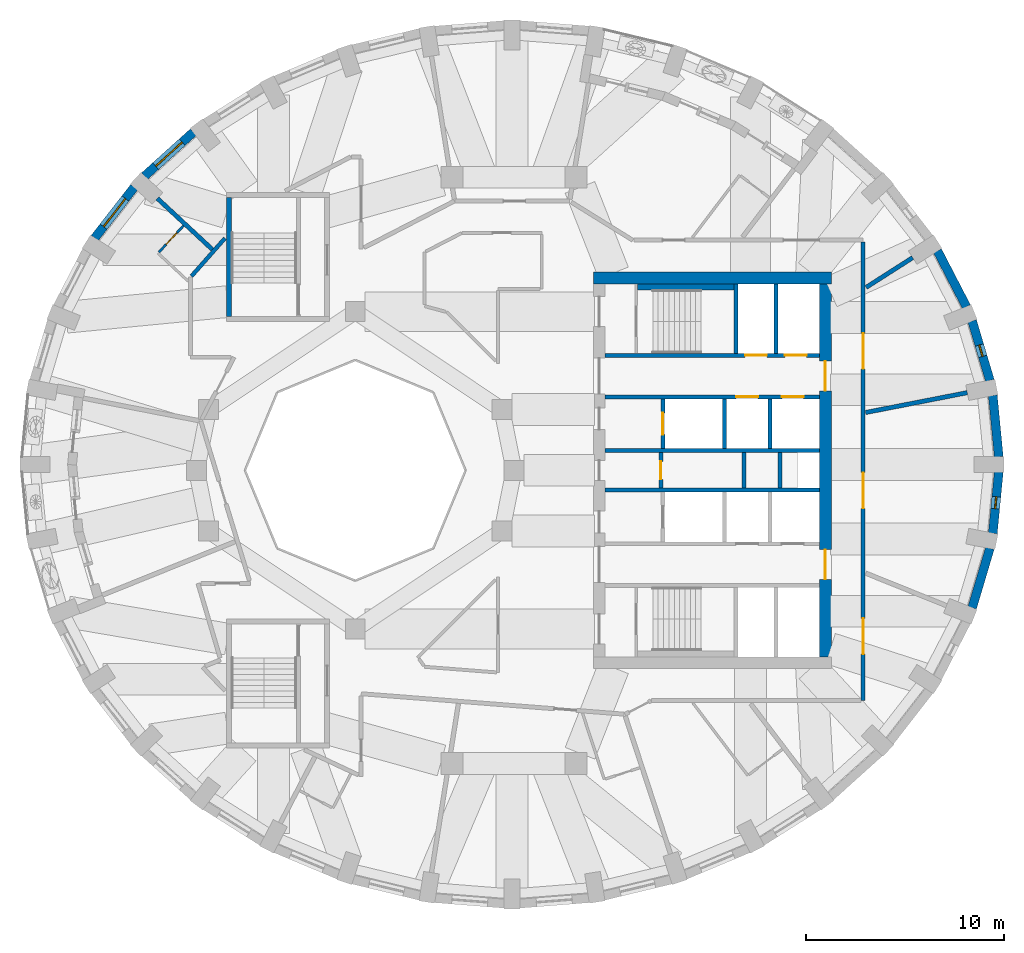
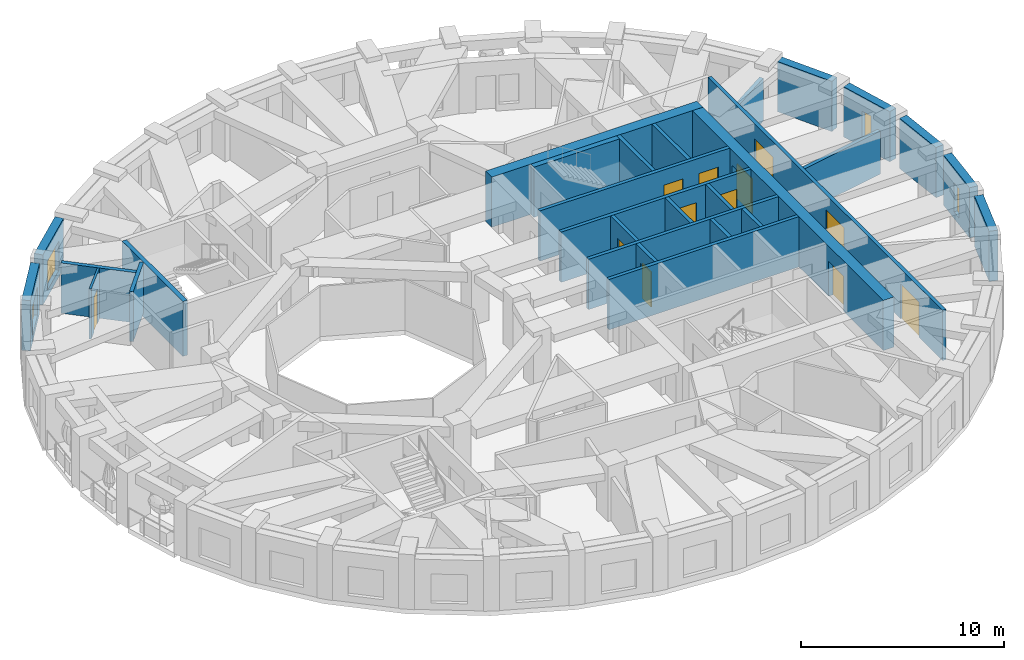
# One storey, part 6 of 12: 29 walls, 12 doors, 4 windows, 16 openings.
"""IFC4 building model written with IfcOpenShell, lengths in metres."""

from ifc_helpers import new_model, si_unit, direction, frame, frame_2d, origin, place, context, subcontext, project, spatial, rectangle, extrude, material, layer, layer_set, type_object, element, fill, save


model = new_model("IFC4")

# Units and contexts
model_context = context("Model", 3, precision=1e-05, world=origin(), true_north=direction((0.0, 1.0)))
body_context = subcontext(model_context, "Body", "Model", "MODEL_VIEW")
ifc_project = project(units=[si_unit("LENGTHUNIT", "METRE"), si_unit("AREAUNIT", "SQUARE_METRE"), si_unit("VOLUMEUNIT", "CUBIC_METRE"), si_unit("PLANEANGLEUNIT", "RADIAN"), si_unit("MASSUNIT", "GRAM", prefix="KILO")], contexts=[model_context])

# Site, building, storey
site_placement = place(None, origin())
site = spatial("IfcSite", under=ifc_project, at=site_placement, CompositionType="ELEMENT")
building_placement = place(site_placement, origin())
building = spatial("IfcBuilding", under=site, at=building_placement, Name="Taillehof Tower", CompositionType="ELEMENT")
storey_placement = place(building_placement, frame((0.0, 0.0, 233.300048828125)))
storey = spatial("IfcBuildingStorey", under=building, at=storey_placement, Name="L66", CompositionType="ELEMENT", Elevation=233.300048828125)

# Wall
ifc_material_1 = material(Name="Brick masonry", Category="masonry")
ifc_layer_1 = layer(ifc_material_1, 0.449951171875)
ifc_layer_set_1 = layer_set([ifc_layer_1], Name="Brick infill wall 450")
wall_type_1 = type_object("IfcWallType", Name="Brick infill wall 450", PredefinedType="SOLIDWALL", material=ifc_layer_set_1)
wall_1_placement = place(storey_placement, frame((24.43701171875, 0.68017578125, 0.0), z_axis=(0.0, 0.0, 1.0), x_axis=(-0.096740086873, 0.995309678237, 0.0)))
element("IfcWall", 1, at=wall_1_placement, inside=storey, type_object=wall_type_1, Name="Brick wall L66 bay 1", PredefinedType="SOLIDWALL", context=body_context, shape_type="SweptSolid", body=[
    extrude(rectangle(XDim=3.1142578125, YDim=0.449951171875, at=frame_2d((1.55712890625, 0.0))), origin(), (0.0, 0.0, 1.0), 3.02001953125),
])

# Wall, opening, window
wall_2_placement = place(storey_placement, frame((23.989990234375, 4.52587890625, 0.0), z_axis=(0.0, 0.0, 1.0), x_axis=(-0.285263800865, 0.958449040855, 0.0)))
wall_2 = element("IfcWall", 2, at=wall_2_placement, inside=storey, type_object=wall_type_1, Name="Brick wall L66 bay 2", PredefinedType="SOLIDWALL", context=body_context, shape_type="SweptSolid", body=[
    extrude(rectangle(XDim=3.13916015625, YDim=0.449951171875, at=frame_2d((1.569580078125, 0.0))), origin(), (0.0, 0.0, 1.0), 3.02001953125),
])
opening_1_placement = place(wall_2_placement, frame((1.26953125, 0.0, 0.39990234375)))
opening_1 = element("IfcOpeningElement", 3, at=opening_1_placement, cuts=wall_2, Name="Opening W6", PredefinedType="OPENING", context=body_context, shape_type="SweptSolid", body=[
    extrude(rectangle(XDim=0.60009765625, YDim=1.75, at=frame_2d((0.300048828125, 0.875))), frame((0.0, 0.23486328125, 0.0), z_axis=(0.0, -1.0, 0.0), x_axis=(1.0, 0.0, 0.0)), (0.0, 0.0, 1.0), 0.469970703125),
])
ifc_material_2 = material(Name="Aluminium window frame with clear double glazing", Category="aluminium")
window_type_1 = type_object("IfcWindowType", Name="Slot window 600x1750", PartitioningType="SINGLE_PANEL", PredefinedType="WINDOW", material=ifc_material_2)
window_1_placement = place(opening_1_placement, origin())
window_1 = element("IfcWindow", 4, at=window_1_placement, inside=storey, type_object=window_type_1, Name="W6", OverallHeight=1.75, OverallWidth=0.60009765625, PartitioningType="SINGLE_PANEL", PredefinedType="WINDOW", context=body_context, shape_type="SweptSolid", body=[
    extrude(rectangle(XDim=0.60009765625, YDim=1.75, at=frame_2d((0.300048828125, 0.875))), frame((0.0, 0.034912109375, 0.0), z_axis=(0.0, -1.0, 0.0), x_axis=(1.0, 0.0, 0.0)), (0.0, 0.0, 1.0), 0.06005859375),
])
fill(opening_1, window_1)

# Wall
wall_3_placement = place(storey_placement, frame((22.81005859375, 8.239501953125, 0.0), z_axis=(0.0, 0.0, 1.0), x_axis=(-0.459889857669, 0.887975967475, 0.0)))
element("IfcWall", 5, at=wall_3_placement, inside=storey, type_object=wall_type_1, Name="Brick wall L66 bay 3", PredefinedType="SOLIDWALL", context=body_context, shape_type="SweptSolid", body=[
    extrude(rectangle(XDim=3.185791015625, YDim=0.449951171875, at=frame_2d((1.5927734375, 0.0))), origin(), (0.0, 0.0, 1.0), 3.02001953125),
])

# Wall, opening, window
wall_4_placement = place(storey_placement, frame((-16.1591796875, 17.04736328125, 0.0), z_axis=(0.0, 0.0, 1.0), x_axis=(-0.743166014219, -0.669107073128, 0.0)))
wall_4 = element("IfcWall", 6, at=wall_4_placement, inside=storey, type_object=wall_type_1, Name="Brick wall L66 bay 14", PredefinedType="SOLIDWALL", context=body_context, shape_type="SweptSolid", body=[
    extrude(rectangle(XDim=3.31640625, YDim=0.449951171875, at=frame_2d((1.658203125, 0.0))), origin(), (0.0, 0.0, 1.0), 3.02001953125),
])
opening_2_placement = place(wall_4_placement, frame((0.75830078125, 0.0, 0.39990234375)))
opening_2 = element("IfcOpeningElement", 7, at=opening_2_placement, cuts=wall_4, Name="Opening W4", PredefinedType="OPENING", context=body_context, shape_type="SweptSolid", body=[
    extrude(rectangle(XDim=1.800048828125, YDim=1.75, at=frame_2d((0.89990234375, 0.875))), frame((0.0, 0.23486328125, 0.0), z_axis=(0.0, -1.0, 0.0), x_axis=(1.0, 0.0, 0.0)), (0.0, 0.0, 1.0), 0.469970703125),
])
ifc_material_3 = material(Name="Aluminium window frame with clear double glazing", Category="aluminium")
window_type_2 = type_object("IfcWindowType", Name="Deep-set window 1800x1750", PartitioningType="SINGLE_PANEL", PredefinedType="WINDOW", material=ifc_material_3)
window_2_placement = place(opening_2_placement, origin())
window_2 = element("IfcWindow", 8, at=window_2_placement, inside=storey, type_object=window_type_2, Name="W4", OverallHeight=1.75, OverallWidth=1.800048828125, PartitioningType="SINGLE_PANEL", PredefinedType="WINDOW", context=body_context, shape_type="SweptSolid", body=[
    extrude(rectangle(XDim=1.800048828125, YDim=1.75, at=frame_2d((0.89990234375, 0.875))), frame((0.0, 0.034912109375, 0.0), z_axis=(0.0, -1.0, 0.0), x_axis=(1.0, 0.0, 0.0)), (0.0, 0.0, 1.0), 0.06005859375),
])
fill(opening_2, window_2)

wall_5_placement = place(storey_placement, frame((-19.1416015625, 14.27197265625, 0.0), z_axis=(0.0, 0.0, 1.0), x_axis=(-0.613862536705, -0.789412937587, 0.0)))
wall_5 = element("IfcWall", 9, at=wall_5_placement, inside=storey, type_object=wall_type_1, Name="Brick wall L66 bay 15", PredefinedType="SOLIDWALL", context=body_context, shape_type="SweptSolid", body=[
    extrude(rectangle(XDim=3.247314453125, YDim=0.449951171875, at=frame_2d((1.62353515625, 0.0))), origin(), (0.0, 0.0, 1.0), 3.02001953125),
])
opening_3_placement = place(wall_5_placement, frame((0.7236328125, 0.0, 0.39990234375)))
opening_3 = element("IfcOpeningElement", 10, at=opening_3_placement, cuts=wall_5, Name="Opening W4", PredefinedType="OPENING", context=body_context, shape_type="SweptSolid", body=[
    extrude(rectangle(XDim=1.800048828125, YDim=1.75, at=frame_2d((0.89990234375, 0.875))), frame((0.0, 0.23486328125, 0.0), z_axis=(0.0, -1.0, 0.0), x_axis=(1.0, 0.0, 0.0)), (0.0, 0.0, 1.0), 0.469970703125),
])
window_3_placement = place(opening_3_placement, origin())
window_3 = element("IfcWindow", 11, at=window_3_placement, inside=storey, type_object=window_type_2, Name="W4", OverallHeight=1.75, OverallWidth=1.800048828125, PartitioningType="SINGLE_PANEL", PredefinedType="WINDOW", context=body_context, shape_type="SweptSolid", body=[
    extrude(rectangle(XDim=1.800048828125, YDim=1.75, at=frame_2d((0.89990234375, 0.875))), frame((0.0, 0.034912109375, 0.0), z_axis=(0.0, -1.0, 0.0), x_axis=(1.0, 0.0, 0.0)), (0.0, 0.0, 1.0), 0.06005859375),
])
fill(opening_3, window_3)

# Wall
wall_6_placement = place(storey_placement, frame((23.094482421875, -6.9345703125, 0.0), z_axis=(0.0, 0.0, 1.0), x_axis=(0.285263800865, 0.958449040855, 0.0)))
element("IfcWall", 12, at=wall_6_placement, inside=storey, type_object=wall_type_1, Name="Brick wall L66 bay 35", PredefinedType="SOLIDWALL", context=body_context, shape_type="SweptSolid", body=[
    extrude(rectangle(XDim=3.13916015625, YDim=0.449951171875, at=frame_2d((1.569580078125, 0.0))), origin(), (0.0, 0.0, 1.0), 3.02001953125),
])

# Wall, opening, window
wall_7_placement = place(storey_placement, frame((24.1357421875, -3.179931640625, 0.0), z_axis=(0.0, 0.0, 1.0), x_axis=(0.09673253904, 0.995310411827, 0.0)))
wall_7 = element("IfcWall", 13, at=wall_7_placement, inside=storey, type_object=wall_type_1, Name="Brick wall L66 bay 36", PredefinedType="SOLIDWALL", context=body_context, shape_type="SweptSolid", body=[
    extrude(rectangle(XDim=3.114501953125, YDim=0.449951171875, at=frame_2d((1.55712890625, 0.0))), origin(), (0.0, 0.0, 1.0), 3.02001953125),
])
opening_4_placement = place(wall_7_placement, frame((1.257080078125, 0.0, 0.39990234375)))
opening_4 = element("IfcOpeningElement", 14, at=opening_4_placement, cuts=wall_7, Name="Opening W6", PredefinedType="OPENING", context=body_context, shape_type="SweptSolid", body=[
    extrude(rectangle(XDim=0.60009765625, YDim=1.75, at=frame_2d((0.300048828125, 0.875))), frame((0.0, 0.23486328125, 0.0), z_axis=(0.0, -1.0, 0.0), x_axis=(1.0, 0.0, 0.0)), (0.0, 0.0, 1.0), 0.469970703125),
])
window_4_placement = place(opening_4_placement, origin())
window_4 = element("IfcWindow", 15, at=window_4_placement, inside=storey, type_object=window_type_1, Name="W6", OverallHeight=1.75, OverallWidth=0.60009765625, PartitioningType="SINGLE_PANEL", PredefinedType="WINDOW", context=body_context, shape_type="SweptSolid", body=[
    extrude(rectangle(XDim=0.60009765625, YDim=1.75, at=frame_2d((0.300048828125, 0.875))), frame((0.0, 0.034912109375, 0.0), z_axis=(0.0, -1.0, 0.0), x_axis=(1.0, 0.0, 0.0)), (0.0, 0.0, 1.0), 0.06005859375),
])
fill(opening_4, window_4)

# Wall, opening, door
ifc_material_4 = material(Name="Calcium silicate masonry", Category="masonry")
ifc_layer_2 = layer(ifc_material_4, 0.199951171875)
ifc_layer_set_2 = layer_set([ifc_layer_2], Name="Compartment wall calcium silicate 200")
wall_type_2 = type_object("IfcWallType", Name="Compartment wall calcium silicate 200", PredefinedType="PARTITIONING", material=ifc_layer_set_2)
wall_8_placement = place(storey_placement, frame((7.39990234375, -0.89990234375, 0.0), z_axis=(0.0, 0.0, 1.0), x_axis=(0.0, 1.0, 0.0)))
wall_8 = element("IfcWall", 16, at=wall_8_placement, inside=storey, type_object=wall_type_2, Name="Compartment wall FW", PredefinedType="PARTITIONING", context=body_context, shape_type="SweptSolid", body=[
    extrude(rectangle(XDim=1.7998046875, YDim=0.199951171875, at=frame_2d((0.89990234375, 0.0))), origin(), (0.0, 0.0, 1.0), 3.02001953125),
])
opening_5_placement = place(wall_8_placement, frame((0.449951171875, 0.0, 0.0)))
opening_5 = element("IfcOpeningElement", 17, at=opening_5_placement, cuts=wall_8, Name="Opening D6614", PredefinedType="OPENING", context=body_context, shape_type="SweptSolid", body=[
    extrude(rectangle(XDim=0.89990234375, YDim=2.10009765625, at=frame_2d((0.449951171875, 1.050048828125))), frame((0.0, 0.10986328125, 0.0), z_axis=(0.0, -1.0, 0.0), x_axis=(1.0, 0.0, 0.0)), (0.0, 0.0, 1.0), 0.219970703125),
])
ifc_material_5 = material(Name="Steel-faced fire door", Category="steel")
door_type_1 = type_object("IfcDoorType", Name="Riser and service room door 900x2100", OperationType="SINGLE_SWING_LEFT", PredefinedType="DOOR", material=ifc_material_5)
door_1_placement = place(opening_5_placement, origin())
door_1 = element("IfcDoor", 18, at=door_1_placement, inside=storey, type_object=door_type_1, Name="Door Fire Safety Store", OperationType="SINGLE_SWING_RIGHT", OverallHeight=2.10009765625, OverallWidth=0.89990234375, PredefinedType="DOOR", context=body_context, shape_type="SweptSolid", body=[
    extrude(rectangle(XDim=0.89990234375, YDim=2.10009765625, at=frame_2d((0.449951171875, 1.050048828125))), frame((0.0, 0.02490234375, 0.0), z_axis=(0.0, -1.0, 0.0), x_axis=(1.0, 0.0, 0.0)), (0.0, 0.0, 1.0), 0.050048828125),
])
fill(opening_5, door_1)

# Walls
for number, where, z_axis, x_axis, name in (
    (19, (11.60009765625, -0.89990234375, 0.0), (0.0, 0.0, 1.0), (0.0, 1.0, 0.0), "Compartment wall FW"),
    (20, (13.39990234375, -0.89990234375, 0.0), (0.0, 0.0, 1.0), (0.0, 1.0, 0.0), "Compartment wall FW"),
):
    element("IfcWall", number, at=place(storey_placement, frame(where, z_axis=z_axis, x_axis=x_axis)), inside=storey, type_object=wall_type_2, Name=name, PredefinedType="PARTITIONING", context=body_context, shape_type="SweptSolid", body=[
        extrude(rectangle(XDim=1.7998046875, YDim=0.199951171875, at=frame_2d((0.89990234375, 0.0))), origin(), (0.0, 0.0, 1.0), 3.02001953125),
    ])

# Wall, openings, doors
ifc_material_6 = material(Name="Gypsum board on steel studs, two layers each side", Category="steel")
ifc_layer_3 = layer(ifc_material_6, 0.199951171875)
ifc_layer_set_3 = layer_set([ifc_layer_3], Name="Compartment wall corridor 200")
wall_type_3 = type_object("IfcWallType", Name="Compartment wall corridor 200", PredefinedType="PARTITIONING", material=ifc_layer_set_3)
wall_9_placement = place(storey_placement, frame((17.60009765625, 11.5, 0.0), z_axis=(0.0, 0.0, 1.0), x_axis=(0.0, -1.0, 0.0)))
wall_9 = element("IfcWall", 21, at=wall_9_placement, inside=storey, type_object=wall_type_3, Name="Compartment wall", PredefinedType="PARTITIONING", context=body_context, shape_type="SweptSolid", body=[
    extrude(rectangle(XDim=23.10009765625, YDim=0.199951171875, at=frame_2d((11.550048828125, 0.0))), origin(), (0.0, 0.0, 1.0), 3.02001953125),
])
opening_6_placement = place(wall_9_placement, frame((18.9599609375, 0.0, 0.0)))
opening_6 = element("IfcOpeningElement", 22, at=opening_6_placement, cuts=wall_9, Name="Opening D6654", PredefinedType="OPENING", context=body_context, shape_type="SweptSolid", body=[
    extrude(rectangle(XDim=1.800048828125, YDim=2.10009765625, at=frame_2d((0.89990234375, 1.050048828125))), frame((0.0, 0.10986328125, 0.0), z_axis=(0.0, -1.0, 0.0), x_axis=(1.0, 0.0, 0.0)), (0.0, 0.0, 1.0), 0.219970703125),
])
opening_7_placement = place(wall_9_placement, frame((11.6171875, 0.0, 0.0)))
opening_7 = element("IfcOpeningElement", 23, at=opening_7_placement, cuts=wall_9, Name="Opening D6655", PredefinedType="OPENING", context=body_context, shape_type="SweptSolid", body=[
    extrude(rectangle(XDim=1.800048828125, YDim=2.10009765625, at=frame_2d((0.89990234375, 1.050048828125))), frame((0.0, 0.10986328125, 0.0), z_axis=(0.0, -1.0, 0.0), x_axis=(1.0, 0.0, 0.0)), (0.0, 0.0, 1.0), 0.219970703125),
])
opening_8_placement = place(wall_9_placement, frame((4.5908203125, 0.0, 0.0)))
opening_8 = element("IfcOpeningElement", 24, at=opening_8_placement, cuts=wall_9, Name="Opening D6656", PredefinedType="OPENING", context=body_context, shape_type="SweptSolid", body=[
    extrude(rectangle(XDim=1.800048828125, YDim=2.10009765625, at=frame_2d((0.89990234375, 1.050048828125))), frame((0.0, 0.10986328125, 0.0), z_axis=(0.0, -1.0, 0.0), x_axis=(1.0, 0.0, 0.0)), (0.0, 0.0, 1.0), 0.219970703125),
])
ifc_material_7 = material(Name="Timber door leaf in steel frame", Category="steel")
door_type_2 = type_object("IfcDoorType", Name="Lounge and meeting room double door EI 30 1800 x 2100", OperationType="SINGLE_SWING_LEFT", PredefinedType="DOOR", material=ifc_material_7)
door_2_placement = place(opening_6_placement, origin())
door_2 = element("IfcDoor", 25, at=door_2_placement, inside=storey, type_object=door_type_2, Name="D6654", OperationType="DOUBLE_DOOR_SINGLE_SWING", OverallHeight=2.10009765625, OverallWidth=1.800048828125, PredefinedType="DOOR", context=body_context, shape_type="SweptSolid", body=[
    extrude(rectangle(XDim=1.800048828125, YDim=2.10009765625, at=frame_2d((0.89990234375, 1.050048828125))), frame((0.0, 0.02490234375, 0.0), z_axis=(0.0, -1.0, 0.0), x_axis=(1.0, 0.0, 0.0)), (0.0, 0.0, 1.0), 0.050048828125),
])
fill(opening_6, door_2)
door_3_placement = place(opening_7_placement, origin())
door_3 = element("IfcDoor", 26, at=door_3_placement, inside=storey, type_object=door_type_2, Name="D6655", OperationType="DOUBLE_DOOR_SINGLE_SWING", OverallHeight=2.10009765625, OverallWidth=1.800048828125, PredefinedType="DOOR", context=body_context, shape_type="SweptSolid", body=[
    extrude(rectangle(XDim=1.800048828125, YDim=2.10009765625, at=frame_2d((0.89990234375, 1.050048828125))), frame((0.0, 0.02490234375, 0.0), z_axis=(0.0, -1.0, 0.0), x_axis=(1.0, 0.0, 0.0)), (0.0, 0.0, 1.0), 0.050048828125),
])
fill(opening_7, door_3)
door_4_placement = place(opening_8_placement, origin())
door_4 = element("IfcDoor", 27, at=door_4_placement, inside=storey, type_object=door_type_2, Name="D6656", OperationType="DOUBLE_DOOR_SINGLE_SWING", OverallHeight=2.10009765625, OverallWidth=1.800048828125, PredefinedType="DOOR", context=body_context, shape_type="SweptSolid", body=[
    extrude(rectangle(XDim=1.800048828125, YDim=2.10009765625, at=frame_2d((0.89990234375, 1.050048828125))), frame((0.0, 0.02490234375, 0.0), z_axis=(0.0, -1.0, 0.0), x_axis=(1.0, 0.0, 0.0)), (0.0, 0.0, 1.0), 0.050048828125),
])
fill(opening_8, door_4)

# Walls
wall_10_placement = place(storey_placement, frame((-16.260498046875, 9.783447265625, 0.0), z_axis=(0.0, 0.0, 1.0), x_axis=(0.66199168739, 0.74951117792, 0.0)))
element("IfcWall", 28, at=wall_10_placement, inside=storey, type_object=wall_type_3, Name="Compartment wall", PredefinedType="PARTITIONING", context=body_context, shape_type="SweptSolid", body=[
    extrude(rectangle(XDim=2.552490234375, YDim=0.199951171875, at=frame_2d((1.2763671875, 0.0))), origin(), (0.0, 0.0, 1.0), 3.02001953125),
])
ifc_material_8 = material(Name="Gypsum board on double steel studs with mineral wool", Category="steel")
ifc_layer_4 = layer(ifc_material_8, 0.219970703125)
ifc_layer_set_4 = layer_set([ifc_layer_4], Name="Compartment wall guest room 220")
wall_type_4 = type_object("IfcWallType", Name="Compartment wall guest room 220", PredefinedType="PARTITIONING", material=ifc_layer_set_4)
wall_11_placement = place(storey_placement, frame((22.8486328125, 3.915771484375, 0.0), z_axis=(0.0, 0.0, 1.0), x_axis=(-0.981474096155, -0.191594881394, 0.0)))
element("IfcWall", 29, at=wall_11_placement, inside=storey, type_object=wall_type_4, Name="Compartment wall", PredefinedType="PARTITIONING", context=body_context, shape_type="SweptSolid", body=[
    extrude(rectangle(XDim=5.225830078125, YDim=0.219970703125, at=frame_2d((2.61279296875, 0.0))), origin(), (0.0, 0.0, 1.0), 2.570068359375),
])
wall_12_placement = place(storey_placement, frame((20.095947265625, 10.720947265625, 0.0), z_axis=(0.0, 0.0, 1.0), x_axis=(-0.842583486412, -0.538565751256, 0.0)))
element("IfcWall", 30, at=wall_12_placement, inside=storey, type_object=wall_type_4, Name="Compartment wall", PredefinedType="PARTITIONING", context=body_context, shape_type="SweptSolid", body=[
    extrude(rectangle(XDim=2.783447265625, YDim=0.219970703125, at=frame_2d((1.3916015625, 0.0))), origin(), (0.0, 0.0, 1.0), 2.570068359375),
])
wall_13_placement = place(storey_placement, frame((-17.973876953125, 13.705810546875, 0.0), z_axis=(0.0, 0.0, 1.0), x_axis=(0.732644022802, -0.680612030346, 0.0)))
element("IfcWall", 31, at=wall_13_placement, inside=storey, type_object=wall_type_4, Name="Compartment wall", PredefinedType="PARTITIONING", context=body_context, shape_type="SweptSolid", body=[
    extrude(rectangle(XDim=3.78173828125, YDim=0.219970703125, at=frame_2d((1.890869140625, 0.0))), origin(), (0.0, 0.0, 1.0), 3.02001953125),
])
ifc_material_9 = material(Name="Calcium silicate masonry", Category="masonry")
ifc_layer_5 = layer(ifc_material_9, 0.300048828125)
ifc_layer_set_5 = layer_set([ifc_layer_5], Name="Compartment wall lining calcium silicate 300")
wall_type_5 = type_object("IfcWallType", Name="Compartment wall lining calcium silicate 300", PredefinedType="PARTITIONING", material=ifc_layer_set_5)
wall_14_placement = place(storey_placement, frame((6.219970703125, 9.25, 0.0), z_axis=(0.0, 0.0, 1.0), x_axis=(1.0, 0.0, 0.0)))
element("IfcWall", 32, at=wall_14_placement, inside=storey, type_object=wall_type_5, Name="Compartment wall FW", PredefinedType="PARTITIONING", context=body_context, shape_type="SweptSolid", body=[
    extrude(rectangle(XDim=4.880126953125, YDim=0.300048828125, at=frame_2d((2.43994140625, 0.0))), origin(), (0.0, 0.0, 1.0), 3.02001953125),
])

# Wall, openings, doors
ifc_material_10 = material(Name="Concrete C80/95", Category="concrete")
ifc_layer_6 = layer(ifc_material_10, 0.60009765625)
ifc_layer_set_6 = layer_set([ifc_layer_6], Name="Core wall C80/95 600")
wall_type_6 = type_object("IfcWallType", Name="Core wall C80/95 600", PredefinedType="SHEAR", material=ifc_layer_set_6)
wall_15_placement = place(storey_placement, frame((15.699951171875, -9.39990234375, 0.0), z_axis=(0.0, 0.0, 1.0), x_axis=(0.0, 1.0, 0.0)))
wall_15 = element("IfcWall", 33, at=wall_15_placement, inside=storey, type_object=wall_type_6, Name="Core wall CW05", PredefinedType="SHEAR", context=body_context, shape_type="SweptSolid", body=[
    extrude(rectangle(XDim=18.7998046875, YDim=0.60009765625, at=frame_2d((9.39990234375, 0.0))), origin(), (0.0, 0.0, 1.0), 3.02001953125),
])
opening_9_placement = place(wall_15_placement, frame((13.39990234375, 0.0, 0.0)))
opening_9 = element("IfcOpeningElement", 34, at=opening_9_placement, cuts=wall_15, Name="Opening D6608", PredefinedType="OPENING", context=body_context, shape_type="SweptSolid", body=[
    extrude(rectangle(XDim=1.5, YDim=2.10009765625, at=frame_2d((0.75, 1.050048828125))), frame((0.0, 0.31005859375, 0.0), z_axis=(0.0, -1.0, 0.0), x_axis=(1.0, 0.0, 0.0)), (0.0, 0.0, 1.0), 0.6201171875),
])
opening_10_placement = place(wall_15_placement, frame((3.89990234375, 0.0, 0.0)))
opening_10 = element("IfcOpeningElement", 35, at=opening_10_placement, cuts=wall_15, Name="Opening D6609", PredefinedType="OPENING", context=body_context, shape_type="SweptSolid", body=[
    extrude(rectangle(XDim=1.5, YDim=2.10009765625, at=frame_2d((0.75, 1.050048828125))), frame((0.0, 0.31005859375, 0.0), z_axis=(0.0, -1.0, 0.0), x_axis=(1.0, 0.0, 0.0)), (0.0, 0.0, 1.0), 0.6201171875),
])
ifc_material_11 = material(Name="Steel-faced fire door", Category="steel")
door_type_3 = type_object("IfcDoorType", Name="Lift lobby east door 1500x2100", OperationType="DOUBLE_DOOR_SINGLE_SWING", PredefinedType="DOOR", material=ifc_material_11)
door_5_placement = place(opening_9_placement, origin())
door_5 = element("IfcDoor", 36, at=door_5_placement, inside=storey, type_object=door_type_3, Name="Lift lobby east door north", OperationType="DOUBLE_DOOR_SINGLE_SWING", OverallHeight=2.10009765625, OverallWidth=1.5, PredefinedType="DOOR", context=body_context, shape_type="SweptSolid", body=[
    extrude(rectangle(XDim=1.5, YDim=2.10009765625, at=frame_2d((0.75, 1.050048828125))), frame((0.0, 0.02490234375, 0.0), z_axis=(0.0, -1.0, 0.0), x_axis=(1.0, 0.0, 0.0)), (0.0, 0.0, 1.0), 0.050048828125),
])
fill(opening_9, door_5)
door_6_placement = place(opening_10_placement, origin())
door_6 = element("IfcDoor", 37, at=door_6_placement, inside=storey, type_object=door_type_3, Name="Lift lobby east door south", OperationType="DOUBLE_DOOR_SINGLE_SWING", OverallHeight=2.10009765625, OverallWidth=1.5, PredefinedType="DOOR", context=body_context, shape_type="SweptSolid", body=[
    extrude(rectangle(XDim=1.5, YDim=2.10009765625, at=frame_2d((0.75, 1.050048828125))), frame((0.0, 0.02490234375, 0.0), z_axis=(0.0, -1.0, 0.0), x_axis=(1.0, 0.0, 0.0)), (0.0, 0.0, 1.0), 0.050048828125),
])
fill(opening_10, door_6)

# Wall
wall_16_placement = place(storey_placement, frame((4.0, 9.699951171875, 0.0), z_axis=(0.0, 0.0, 1.0), x_axis=(1.0, 0.0, 0.0)))
element("IfcWall", 38, at=wall_16_placement, inside=storey, type_object=wall_type_6, Name="Core wall CW06", PredefinedType="SHEAR", context=body_context, shape_type="SweptSolid", body=[
    extrude(rectangle(XDim=12.0, YDim=0.60009765625, at=frame_2d((6.0, 0.0))), origin(), (0.0, 0.0, 1.0), 3.02001953125),
])

# Wall, opening, door
ifc_material_12 = material(Name="Gypsum board on steel studs, moisture resistant", Category="steel")
ifc_layer_7 = layer(ifc_material_12, 0.1201171875)
ifc_layer_set_7 = layer_set([ifc_layer_7], Name="En-suite wall 120")
wall_type_7 = type_object("IfcWallType", Name="En-suite wall 120", PredefinedType="PARTITIONING", material=ifc_layer_set_7)
wall_17_placement = place(storey_placement, frame((-17.90234375, 10.991455078125, 0.0), z_axis=(0.0, 0.0, 1.0), x_axis=(0.680681343043, 0.732579626548, 0.0)))
wall_17 = element("IfcWall", 39, at=wall_17_placement, inside=storey, type_object=wall_type_7, Name="En-suite wall", PredefinedType="PARTITIONING", context=body_context, shape_type="SweptSolid", body=[
    extrude(rectangle(XDim=1.829833984375, YDim=0.1201171875, at=frame_2d((0.9150390625, 0.0))), origin(), (0.0, 0.0, 1.0), 3.02001953125),
])
opening_11_placement = place(wall_17_placement, frame((0.5400390625, 0.0, 0.0)))
opening_11 = element("IfcOpeningElement", 40, at=opening_11_placement, cuts=wall_17, Name="Opening D6645", PredefinedType="OPENING", context=body_context, shape_type="SweptSolid", body=[
    extrude(rectangle(XDim=0.800048828125, YDim=2.10009765625, at=frame_2d((0.39990234375, 1.050048828125))), frame((0.0, 0.070068359375, 0.0), z_axis=(0.0, -1.0, 0.0), x_axis=(1.0, 0.0, 0.0)), (0.0, 0.0, 1.0), 0.14013671875),
])
ifc_material_13 = material(Name="Timber door leaf in steel frame", Category="steel")
door_type_4 = type_object("IfcDoorType", Name="En-suite door 800 x 2100", OperationType="SINGLE_SWING_LEFT", PredefinedType="DOOR", material=ifc_material_13)
door_7_placement = place(opening_11_placement, origin())
door_7 = element("IfcDoor", 41, at=door_7_placement, inside=storey, type_object=door_type_4, Name="D6645", OperationType="SINGLE_SWING_RIGHT", OverallHeight=2.10009765625, OverallWidth=0.800048828125, PredefinedType="DOOR", context=body_context, shape_type="SweptSolid", body=[
    extrude(rectangle(XDim=0.800048828125, YDim=2.10009765625, at=frame_2d((0.39990234375, 1.050048828125))), frame((0.0, 0.02490234375, 0.0), z_axis=(0.0, -1.0, 0.0), x_axis=(1.0, 0.0, 0.0)), (0.0, 0.0, 1.0), 0.050048828125),
])
fill(opening_11, door_7)

# Wall, openings, doors
ifc_material_14 = material(Name="Concrete C50/60", Category="concrete")
ifc_layer_8 = layer(ifc_material_14, 0.199951171875)
ifc_layer_set_8 = layer_set([ifc_layer_8], Name="Shaft wall C50/60 200")
wall_type_8 = type_object("IfcWallType", Name="Shaft wall C50/60 200", PredefinedType="SHEAR", material=ifc_layer_set_8)
wall_18_placement = place(storey_placement, frame((4.60009765625, 5.800048828125, 0.0), z_axis=(0.0, 0.0, 1.0), x_axis=(1.0, 0.0, 0.0)))
wall_18 = element("IfcWall", 42, at=wall_18_placement, inside=storey, type_object=wall_type_8, Name="Shaft wall SW", PredefinedType="SHEAR", context=body_context, shape_type="SweptSolid", body=[
    extrude(rectangle(XDim=10.7998046875, YDim=0.199951171875, at=frame_2d((5.39990234375, 0.0))), origin(), (0.0, 0.0, 1.0), 3.02001953125),
])
opening_12_placement = place(wall_18_placement, frame((7.050048828125, 0.0, 0.0)))
opening_12 = element("IfcOpeningElement", 43, at=opening_12_placement, cuts=wall_18, Name="Opening LD1", PredefinedType="OPENING", context=body_context, shape_type="SweptSolid", body=[
    extrude(rectangle(XDim=1.10009765625, YDim=2.10009765625, at=frame_2d((0.550048828125, 1.050048828125))), frame((0.0, 0.10986328125, 0.0), z_axis=(0.0, -1.0, 0.0), x_axis=(1.0, 0.0, 0.0)), (0.0, 0.0, 1.0), 0.219970703125),
])
opening_13_placement = place(wall_18_placement, frame((9.050048828125, 0.0, 0.0)))
opening_13 = element("IfcOpeningElement", 44, at=opening_13_placement, cuts=wall_18, Name="Opening LD1", PredefinedType="OPENING", context=body_context, shape_type="SweptSolid", body=[
    extrude(rectangle(XDim=1.10009765625, YDim=2.10009765625, at=frame_2d((0.550048828125, 1.050048828125))), frame((0.0, 0.10986328125, 0.0), z_axis=(0.0, -1.0, 0.0), x_axis=(1.0, 0.0, 0.0)), (0.0, 0.0, 1.0), 0.219970703125),
])
ifc_material_15 = material(Name="Stainless steel", Category="steel")
door_type_5 = type_object("IfcDoorType", Name="Lift landing door LD1 1100x2100", OperationType="DOUBLE_DOOR_SLIDING", PredefinedType="DOOR", material=ifc_material_15)
door_8_placement = place(opening_12_placement, origin())
door_8 = element("IfcDoor", 45, at=door_8_placement, inside=storey, type_object=door_type_5, Name="Landing door HR1", OperationType="DOUBLE_DOOR_SLIDING", OverallHeight=2.10009765625, OverallWidth=1.10009765625, PredefinedType="DOOR", context=body_context, shape_type="SweptSolid", body=[
    extrude(rectangle(XDim=1.10009765625, YDim=2.10009765625, at=frame_2d((0.550048828125, 1.050048828125))), frame((0.0, 0.02490234375, 0.0), z_axis=(0.0, -1.0, 0.0), x_axis=(1.0, 0.0, 0.0)), (0.0, 0.0, 1.0), 0.050048828125),
])
fill(opening_12, door_8)
door_9_placement = place(opening_13_placement, origin())
door_9 = element("IfcDoor", 46, at=door_9_placement, inside=storey, type_object=door_type_5, Name="Landing door HR2", OperationType="DOUBLE_DOOR_SLIDING", OverallHeight=2.10009765625, OverallWidth=1.10009765625, PredefinedType="DOOR", context=body_context, shape_type="SweptSolid", body=[
    extrude(rectangle(XDim=1.10009765625, YDim=2.10009765625, at=frame_2d((0.550048828125, 1.050048828125))), frame((0.0, 0.02490234375, 0.0), z_axis=(0.0, -1.0, 0.0), x_axis=(1.0, 0.0, 0.0)), (0.0, 0.0, 1.0), 0.050048828125),
])
fill(opening_13, door_9)

wall_19_placement = place(storey_placement, frame((4.60009765625, 3.699951171875, 0.0), z_axis=(0.0, 0.0, 1.0), x_axis=(1.0, 0.0, 0.0)))
wall_19 = element("IfcWall", 47, at=wall_19_placement, inside=storey, type_object=wall_type_8, Name="Shaft wall SW", PredefinedType="SHEAR", context=body_context, shape_type="SweptSolid", body=[
    extrude(rectangle(XDim=10.7998046875, YDim=0.199951171875, at=frame_2d((5.39990234375, 0.0))), origin(), (0.0, 0.0, 1.0), 3.02001953125),
])
opening_14_placement = place(wall_19_placement, frame((6.60009765625, 0.0, 0.0)))
opening_14 = element("IfcOpeningElement", 48, at=opening_14_placement, cuts=wall_19, Name="Opening LD1", PredefinedType="OPENING", context=body_context, shape_type="SweptSolid", body=[
    extrude(rectangle(XDim=1.10009765625, YDim=2.10009765625, at=frame_2d((0.550048828125, 1.050048828125))), frame((0.0, 0.10986328125, 0.0), z_axis=(0.0, -1.0, 0.0), x_axis=(1.0, 0.0, 0.0)), (0.0, 0.0, 1.0), 0.219970703125),
])
opening_15_placement = place(wall_19_placement, frame((8.89990234375, 0.0, 0.0)))
opening_15 = element("IfcOpeningElement", 49, at=opening_15_placement, cuts=wall_19, Name="Opening LD1", PredefinedType="OPENING", context=body_context, shape_type="SweptSolid", body=[
    extrude(rectangle(XDim=1.10009765625, YDim=2.10009765625, at=frame_2d((0.550048828125, 1.050048828125))), frame((0.0, 0.10986328125, 0.0), z_axis=(0.0, -1.0, 0.0), x_axis=(1.0, 0.0, 0.0)), (0.0, 0.0, 1.0), 0.219970703125),
])
door_10_placement = place(opening_14_placement, origin())
door_10 = element("IfcDoor", 50, at=door_10_placement, inside=storey, type_object=door_type_5, Name="Landing door HR3", OperationType="DOUBLE_DOOR_SLIDING", OverallHeight=2.10009765625, OverallWidth=1.10009765625, PredefinedType="DOOR", context=body_context, shape_type="SweptSolid", body=[
    extrude(rectangle(XDim=1.10009765625, YDim=2.10009765625, at=frame_2d((0.550048828125, 1.050048828125))), frame((0.0, 0.02490234375, 0.0), z_axis=(0.0, -1.0, 0.0), x_axis=(1.0, 0.0, 0.0)), (0.0, 0.0, 1.0), 0.050048828125),
])
fill(opening_14, door_10)
door_11_placement = place(opening_15_placement, origin())
door_11 = element("IfcDoor", 51, at=door_11_placement, inside=storey, type_object=door_type_5, Name="Landing door HR4", OperationType="DOUBLE_DOOR_SLIDING", OverallHeight=2.10009765625, OverallWidth=1.10009765625, PredefinedType="DOOR", context=body_context, shape_type="SweptSolid", body=[
    extrude(rectangle(XDim=1.10009765625, YDim=2.10009765625, at=frame_2d((0.550048828125, 1.050048828125))), frame((0.0, 0.02490234375, 0.0), z_axis=(0.0, -1.0, 0.0), x_axis=(1.0, 0.0, 0.0)), (0.0, 0.0, 1.0), 0.050048828125),
])
fill(opening_15, door_11)

# Walls
for number, where, z_axis, x_axis, name in (
    (52, (4.60009765625, 1.0, 0.0), (0.0, 0.0, 1.0), (1.0, 0.0, 0.0), "Shaft wall SW"),
    (53, (4.60009765625, -1.0, 0.0), (0.0, 0.0, 1.0), (1.0, 0.0, 0.0), "Shaft wall SW"),
):
    element("IfcWall", number, at=place(storey_placement, frame(where, z_axis=z_axis, x_axis=x_axis)), inside=storey, type_object=wall_type_8, Name=name, PredefinedType="SHEAR", context=body_context, shape_type="SweptSolid", body=[
        extrude(rectangle(XDim=10.7998046875, YDim=0.199951171875, at=frame_2d((5.39990234375, 0.0))), origin(), (0.0, 0.0, 1.0), 3.02001953125),
    ])
for number, where, z_axis, x_axis, name in (
    (54, (11.199951171875, 5.89990234375, 0.0), (0.0, 0.0, 1.0), (0.0, 1.0, 0.0), "Shaft wall SW"),
    (55, (13.199951171875, 5.89990234375, 0.0), (0.0, 0.0, 1.0), (0.0, 1.0, 0.0), "Shaft wall SW"),
):
    element("IfcWall", number, at=place(storey_placement, frame(where, z_axis=z_axis, x_axis=x_axis)), inside=storey, type_object=wall_type_8, Name=name, PredefinedType="SHEAR", context=body_context, shape_type="SweptSolid", body=[
        extrude(rectangle(XDim=3.5, YDim=0.199951171875, at=frame_2d((1.75, 0.0))), origin(), (0.0, 0.0, 1.0), 3.02001953125),
    ])

# Wall, opening, door
wall_20_placement = place(storey_placement, frame((7.5, 1.10009765625, 0.0), z_axis=(0.0, 0.0, 1.0), x_axis=(0.0, 1.0, 0.0)))
wall_20 = element("IfcWall", 56, at=wall_20_placement, inside=storey, type_object=wall_type_8, Name="Shaft wall SW", PredefinedType="SHEAR", context=body_context, shape_type="SweptSolid", body=[
    extrude(rectangle(XDim=2.5, YDim=0.199951171875, at=frame_2d((1.25, 0.0))), origin(), (0.0, 0.0, 1.0), 3.02001953125),
])
opening_16_placement = place(wall_20_placement, frame((0.699951171875, 0.0, 0.0)))
opening_16 = element("IfcOpeningElement", 57, at=opening_16_placement, cuts=wall_20, Name="Opening LD1", PredefinedType="OPENING", context=body_context, shape_type="SweptSolid", body=[
    extrude(rectangle(XDim=1.10009765625, YDim=2.10009765625, at=frame_2d((0.550048828125, 1.050048828125))), frame((0.0, 0.10986328125, 0.0), z_axis=(0.0, -1.0, 0.0), x_axis=(1.0, 0.0, 0.0)), (0.0, 0.0, 1.0), 0.219970703125),
])
door_12_placement = place(opening_16_placement, origin())
door_12 = element("IfcDoor", 58, at=door_12_placement, inside=storey, type_object=door_type_5, Name="Landing door FF1", OperationType="DOUBLE_DOOR_SLIDING", OverallHeight=2.10009765625, OverallWidth=1.10009765625, PredefinedType="DOOR", context=body_context, shape_type="SweptSolid", body=[
    extrude(rectangle(XDim=1.10009765625, YDim=2.10009765625, at=frame_2d((0.550048828125, 1.050048828125))), frame((0.0, 0.02490234375, 0.0), z_axis=(0.0, -1.0, 0.0), x_axis=(1.0, 0.0, 0.0)), (0.0, 0.0, 1.0), 0.050048828125),
])
fill(opening_16, door_12)

# Walls
for number, where, z_axis, x_axis, name in (
    (59, (10.60009765625, 1.10009765625, 0.0), (0.0, 0.0, 1.0), (0.0, 1.0, 0.0), "Shaft wall SW"),
    (60, (12.89990234375, 1.10009765625, 0.0), (0.0, 0.0, 1.0), (0.0, 1.0, 0.0), "Shaft wall SW"),
):
    element("IfcWall", number, at=place(storey_placement, frame(where, z_axis=z_axis, x_axis=x_axis)), inside=storey, type_object=wall_type_8, Name=name, PredefinedType="SHEAR", context=body_context, shape_type="SweptSolid", body=[
        extrude(rectangle(XDim=2.5, YDim=0.199951171875, at=frame_2d((1.25, 0.0))), origin(), (0.0, 0.0, 1.0), 3.02001953125),
    ])
ifc_material_16 = material(Name="Concrete C50/60", Category="concrete")
ifc_layer_9 = layer(ifc_material_16, 0.25)
ifc_layer_set_9 = layer_set([ifc_layer_9], Name="Stair wall C50/60 250")
wall_type_9 = type_object("IfcWallType", Name="Stair wall C50/60 250", PredefinedType="SHEAR", material=ifc_layer_set_9)
wall_21_placement = place(storey_placement, frame((-14.375, 7.75, -0.280029296875), z_axis=(0.0, 0.0, 1.0), x_axis=(0.0, 1.0, 0.0)))
element("IfcWall", 61, at=wall_21_placement, inside=storey, type_object=wall_type_9, Name="Stair wall SC", PredefinedType="SHEAR", context=body_context, shape_type="SweptSolid", body=[
    extrude(rectangle(XDim=6.0, YDim=0.25, at=frame_2d((3.0, 0.0))), origin(), (0.0, 0.0, 1.0), 3.300048828125),
])

save(model, "model.ifc")
